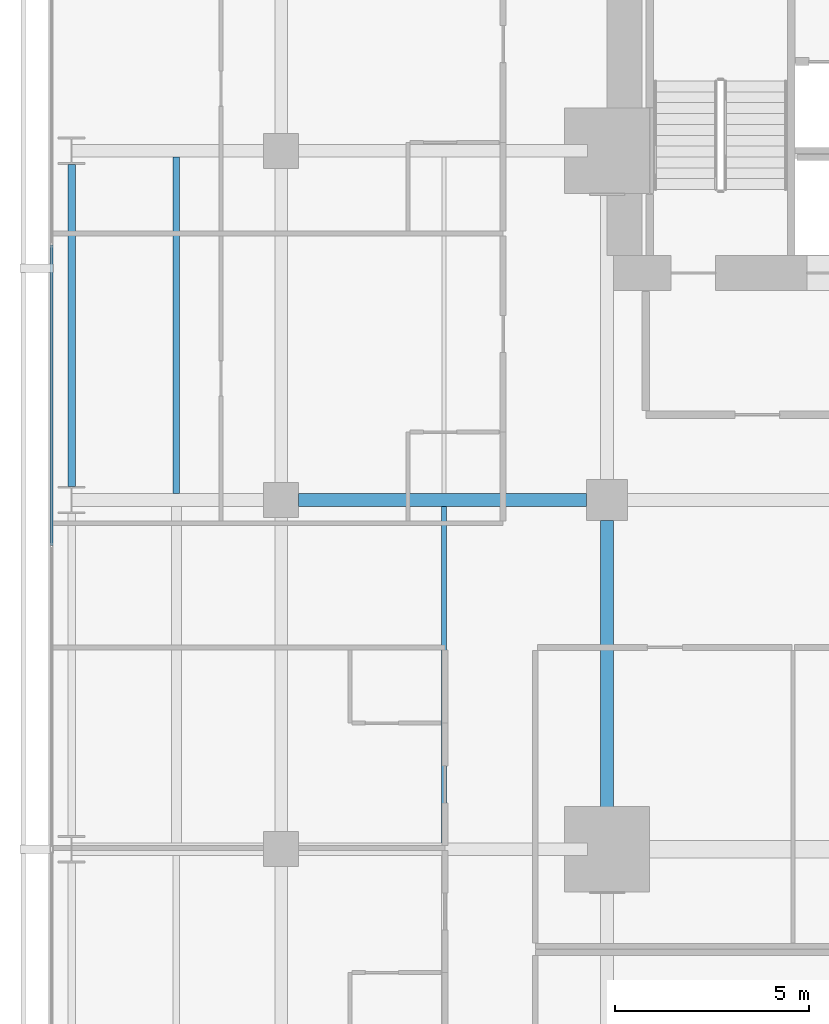
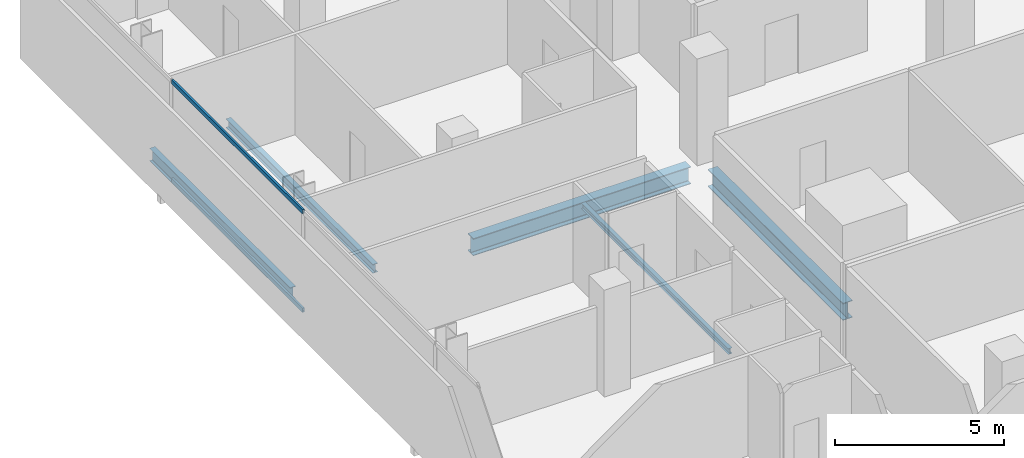
# One storey, part 22 of 39: 5 beams, 2 members, 1 element without a shape of its own.
"""IFC4 building model written with IfcOpenShell, lengths in metres."""

from ifc_helpers import new_model, si_unit, direction, frame, origin, origin_2d, place, context, subcontext, project, spatial, hollow_rectangle, i_section, extrude, material, layer, layer_set, material_profile, profile_set, type_object, element, aggregate, save


model = new_model("IFC4")

# Units and contexts
model_context = context("Model", 3, precision=1e-05, world=origin(), true_north=direction((0.0, 1.0)))
body_context = subcontext(model_context, "Body", "Model", "MODEL_VIEW")
ifc_project = project(units=[si_unit("LENGTHUNIT", "METRE"), si_unit("AREAUNIT", "SQUARE_METRE"), si_unit("VOLUMEUNIT", "CUBIC_METRE"), si_unit("PLANEANGLEUNIT", "RADIAN"), si_unit("MASSUNIT", "GRAM", prefix="KILO")], contexts=[model_context])

# Site, building, storey
site_placement = place(None, origin())
site = spatial("IfcSite", under=ifc_project, at=site_placement, CompositionType="ELEMENT")
building_placement = place(site_placement, origin())
building = spatial("IfcBuilding", under=site, at=building_placement, Name="Maruvema Waterfront Hotel and Observation Tower", CompositionType="ELEMENT")
storey_placement = place(building_placement, frame((0.0, 0.0, 46.199951171875)))
storey = spatial("IfcBuildingStorey", under=building, at=storey_placement, Name="L10", CompositionType="ELEMENT", Elevation=46.199951171875)

# Curtain wall, members
ifc_material_1 = material(Name="Anodised bronze aluminium and solar-control low-E IGU", Category="aluminium")
ifc_layer = layer(ifc_material_1, 0.159912109375, Name="Zone 1 Bronze Inner Thermal Curtain Wall System CW-02")
ifc_layer_set = layer_set([ifc_layer], Name="Anodised bronze aluminium and solar-control low-E IGU")
curtain_wall_type = type_object("IfcCurtainWallType", Name="Zone 1 Bronze Inner Thermal Curtain Wall System CW-02", PredefinedType="USERDEFINED", material=ifc_layer_set)
curtain_wall_placement = place(storey_placement, origin())
curtain_wall = element("IfcCurtainWall", 1, at=curtain_wall_placement, inside=storey, type_object=curtain_wall_type, Name="L10 Curtain Wall CW-L10-W", ObjectType="UNITISED CURTAIN WALL", PredefinedType="USERDEFINED")
ifc_material_2 = material(Name="Anodised architectural bronze aluminium", Category="aluminium")
ifc_material_profile_1 = material_profile(ifc_material_2, hollow_rectangle(XDim=0.070068359375, YDim=0.14990234375, WallThickness=0.00390625, at=origin_2d()), Name="ALU-T70x150")
ifc_profile_set_1 = profile_set([ifc_material_profile_1], Name="Anodised architectural bronze aluminium")
member_type = type_object("IfcMemberType", Name="Curtain Wall Horizontal Transom ALU-T70x150", PredefinedType="USERDEFINED", material=ifc_profile_set_1)
member_1_placement = place(storey_placement, frame((10.8798828125, 42.570068359375, 0.030029296875), z_axis=(0.0, -1.0, 0.0), x_axis=(1.0, 0.0, 0.0)))
member_1 = element("IfcMember", 2, at=member_1_placement, type_object=member_type, Name="CW-02 transom 2.1", ObjectType="TRANSOM", PredefinedType="USERDEFINED", context=body_context, shape_type="SweptSolid", body=[
    extrude(hollow_rectangle(XDim=0.070068359375, YDim=0.14990234375, WallThickness=0.00390625, at=origin_2d()), origin(), (0.0, 0.0, 1.0), 7.739990234375),
])
member_2_placement = place(storey_placement, frame((10.8798828125, 42.570068359375, 3.580078125), z_axis=(0.0, -1.0, 0.0), x_axis=(1.0, 0.0, 0.0)))
member_2 = element("IfcMember", 3, at=member_2_placement, type_object=member_type, Name="CW-02 transom 2.2", ObjectType="TRANSOM", PredefinedType="USERDEFINED", context=body_context, shape_type="SweptSolid", body=[
    extrude(hollow_rectangle(XDim=0.070068359375, YDim=0.14990234375, WallThickness=0.00390625, at=origin_2d()), origin(), (0.0, 0.0, 1.0), 7.739990234375),
])
aggregate(curtain_wall, [member_1, member_2])

# Beams
ifc_material_3 = material(Name="Steel ASTM A572 Grade 50", Category="steel")
ifc_material_profile_2 = material_profile(ifc_material_3, i_section(OverallWidth=0.18994140625, OverallDepth=0.45703125, WebThickness=0.009033203125, FlangeThickness=0.014404296875, FilletRadius=0.014892578125, at=origin_2d()), Name="W460x74.0")
ifc_profile_set_2 = profile_set([ifc_material_profile_2], Name="Steel ASTM A572 Grade 50")
beam_type_1 = type_object("IfcBeamType", Name="Perimeter Spandrel Beam W460x74.0", PredefinedType="SPANDREL", material=ifc_profile_set_2)
beam_1_placement = place(storey_placement, frame((11.39990234375, 36.35009765625, -0.468505859375), z_axis=(0.0, 1.0, 0.0), x_axis=(-1.0, 0.0, 0.0)))
element("IfcBeam", 4, at=beam_1_placement, inside=storey, type_object=beam_type_1, Name="L10 Floor Girder NS-04", PredefinedType="SPANDREL", context=body_context, shape_type="SweptSolid", body=[
    extrude(i_section(OverallWidth=0.18994140625, OverallDepth=0.45703125, WebThickness=0.009033203125, FlangeThickness=0.014404296875, FilletRadius=0.014892578125, at=origin_2d()), origin(), (0.0, 0.0, 1.0), 8.2998046875),
])
ifc_material_4 = material(Name="Steel ASTM A572 Grade 50", Category="steel")
ifc_material_profile_3 = material_profile(ifc_material_4, i_section(OverallWidth=0.326904296875, OverallDepth=0.6220703125, WebThickness=0.015380859375, FlangeThickness=0.0244140625, FilletRadius=0.01806640625, at=origin_2d()), Name="W610x195.0")
ifc_profile_set_3 = profile_set([ifc_material_profile_3], Name="Steel ASTM A572 Grade 50")
beam_type_2 = type_object("IfcBeamType", Name="Primary Floor Girder W610x195.0", PredefinedType="BEAM", material=ifc_profile_set_3)
beam_2_placement = place(storey_placement, frame((17.25, 36.0, -0.551025390625), z_axis=(1.0, 0.0, 0.0), x_axis=(0.0, 1.0, 0.0)))
element("IfcBeam", 5, at=beam_2_placement, inside=storey, type_object=beam_type_2, Name="L10 Floor Girder EW-26", PredefinedType="BEAM", context=body_context, shape_type="SweptSolid", body=[
    extrude(i_section(OverallWidth=0.326904296875, OverallDepth=0.6220703125, WebThickness=0.015380859375, FlangeThickness=0.0244140625, FilletRadius=0.01806640625, at=origin_2d()), origin(), (0.0, 0.0, 1.0), 7.425048828125),
])
beam_3_placement = place(storey_placement, frame((25.199951171875, 27.5, -0.551025390625), z_axis=(0.0, 1.0, 0.0), x_axis=(-1.0, 0.0, 0.0)))
element("IfcBeam", 6, at=beam_3_placement, inside=storey, type_object=beam_type_2, Name="L10 Floor Girder NS-14", PredefinedType="BEAM", context=body_context, shape_type="SweptSolid", body=[
    extrude(i_section(OverallWidth=0.326904296875, OverallDepth=0.6220703125, WebThickness=0.015380859375, FlangeThickness=0.0244140625, FilletRadius=0.01806640625, at=origin_2d()), origin(), (0.0, 0.0, 1.0), 7.97509765625),
])
ifc_material_5 = material(Name="Steel ASTM A572 Grade 50", Category="steel")
ifc_material_profile_4 = material_profile(ifc_material_5, i_section(OverallWidth=0.133056640625, OverallDepth=0.20703125, WebThickness=0.005859375, FlangeThickness=0.00830078125, FilletRadius=0.010009765625, at=origin_2d()), Name="W200x26.6")
ifc_profile_set_4 = profile_set([ifc_material_profile_4], Name="Steel ASTM A572 Grade 50")
beam_type_3 = type_object("IfcBeamType", Name="Secondary Floor Joist W200x26.6", PredefinedType="JOIST", material=ifc_profile_set_4)
beam_4_placement = place(storey_placement, frame((21.0, 27.16357421875, -0.343505859375), z_axis=(0.0, 1.0, 0.0), x_axis=(-1.0, 0.0, 0.0)))
element("IfcBeam", 7, at=beam_4_placement, inside=storey, type_object=beam_type_3, Name="L10 Secondary Floor Joist JS-08", PredefinedType="JOIST", context=body_context, shape_type="SweptSolid", body=[
    extrude(i_section(OverallWidth=0.133056640625, OverallDepth=0.20703125, WebThickness=0.005859375, FlangeThickness=0.00830078125, FilletRadius=0.010009765625, at=origin_2d()), origin(), (0.0, 0.0, 1.0), 8.6728515625),
])
ifc_material_6 = material(Name="Steel ASTM A572 Grade 50", Category="steel")
ifc_material_profile_5 = material_profile(ifc_material_6, i_section(OverallWidth=0.1669921875, OverallDepth=0.31689453125, WebThickness=0.007568359375, FlangeThickness=0.01318359375, FilletRadius=0.012939453125, at=origin_2d()), Name="W310x52.0")
ifc_profile_set_5 = profile_set([ifc_material_profile_5], Name="Steel ASTM A572 Grade 50")
beam_type_4 = type_object("IfcBeamType", Name="Secondary Floor Joist W310x52.0", PredefinedType="JOIST", material=ifc_profile_set_5)
beam_5_placement = place(storey_placement, frame((14.10009765625, 36.16357421875, -0.3984375), z_axis=(0.0, 1.0, 0.0), x_axis=(-1.0, 0.0, 0.0)))
element("IfcBeam", 8, at=beam_5_placement, inside=storey, type_object=beam_type_4, Name="L10 Secondary Floor Joist JS-04", PredefinedType="JOIST", context=body_context, shape_type="SweptSolid", body=[
    extrude(i_section(OverallWidth=0.1669921875, OverallDepth=0.31689453125, WebThickness=0.007568359375, FlangeThickness=0.01318359375, FilletRadius=0.012939453125, at=origin_2d()), origin(), (0.0, 0.0, 1.0), 8.6728515625),
])

save(model, "model.ifc")
